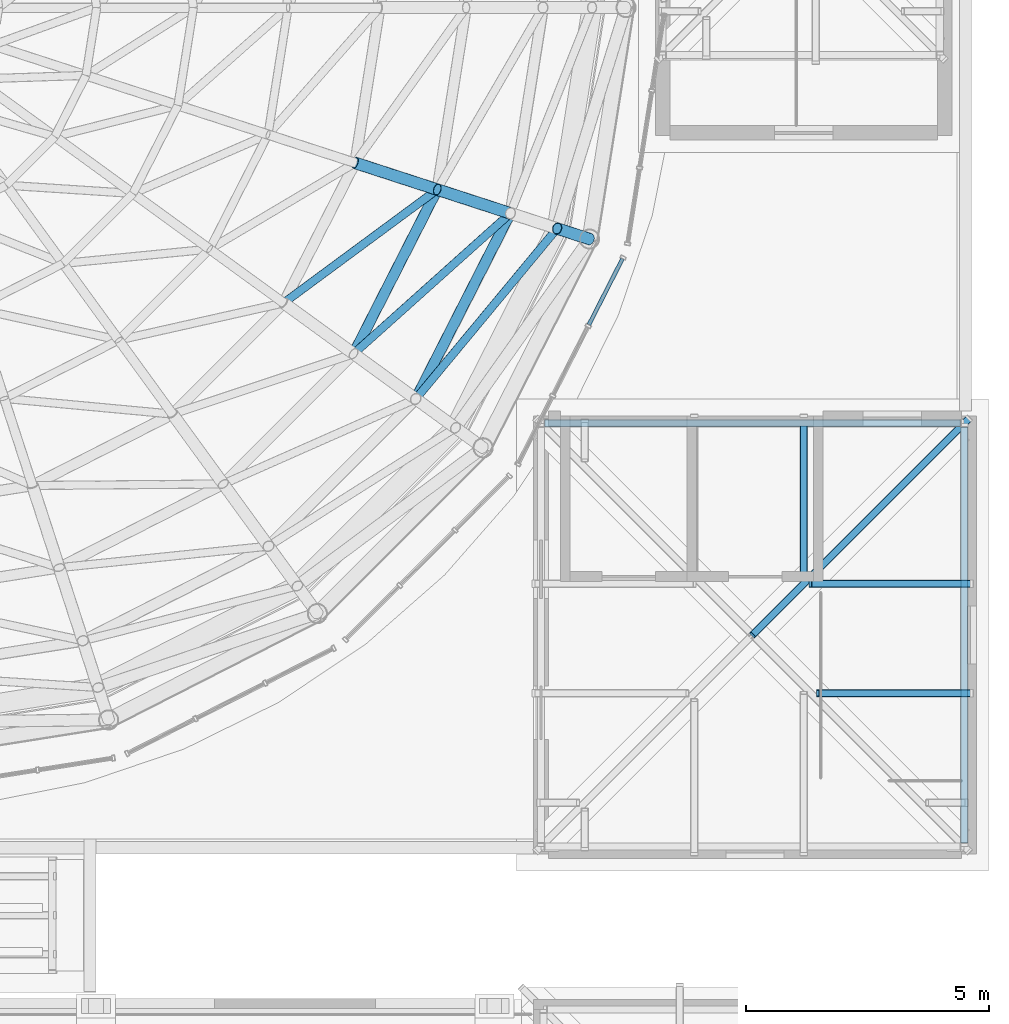
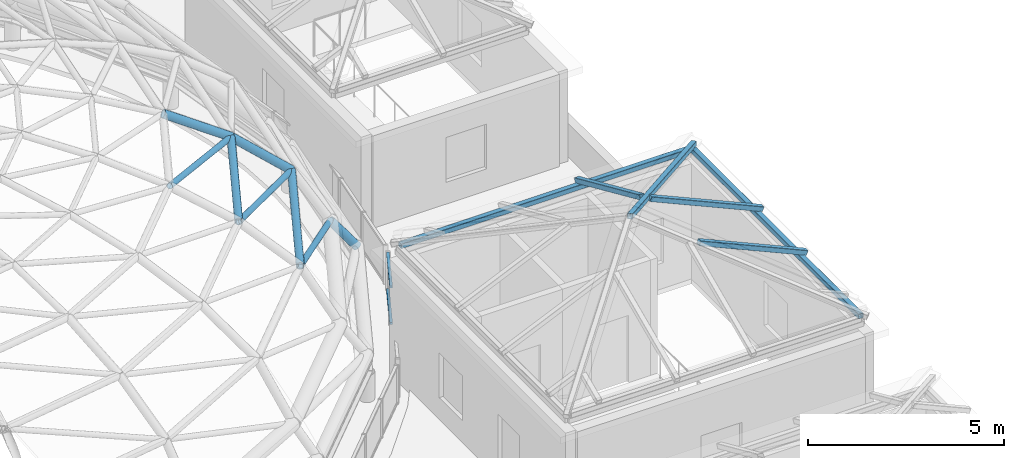
# One storey, part 30 of 69: 16 members, 1 element without a shape of its own.
"""IFC4 building model written with IfcOpenShell, lengths in metres."""

from ifc_helpers import new_model, si_unit, direction, frame, origin, origin_2d, place, context, subcontext, project, spatial, hollow_rectangle, hollow_circle, extrude, material, layer, layer_set, material_profile, profile_set, type_object, element, aggregate, save


model = new_model("IFC4")

# Units and contexts
model_context = context("Model", 3, precision=1e-05, world=origin(), true_north=direction((0.0, 1.0)))
body_context = subcontext(model_context, "Body", "Model", "MODEL_VIEW")
ifc_project = project(units=[si_unit("LENGTHUNIT", "METRE"), si_unit("AREAUNIT", "SQUARE_METRE"), si_unit("VOLUMEUNIT", "CUBIC_METRE"), si_unit("PLANEANGLEUNIT", "RADIAN"), si_unit("MASSUNIT", "GRAM", prefix="KILO")], contexts=[model_context])

# Site, building, storey
site_placement = place(None, origin())
site = spatial("IfcSite", under=ifc_project, at=site_placement, CompositionType="ELEMENT")
building_placement = place(site_placement, origin())
building = spatial("IfcBuilding", under=site, at=building_placement, Name="Kallimachos Central Library", CompositionType="ELEMENT")
storey_placement = place(building_placement, frame((0.0, 0.0, 23.39990234375)))
storey = spatial("IfcBuildingStorey", under=building, at=storey_placement, Name="L05", CompositionType="ELEMENT", Elevation=23.39990234375)

# Members
ifc_material_1 = material(Name="Steel S355J2H", Category="steel")
ifc_material_profile_1 = material_profile(ifc_material_1, hollow_circle(Radius=0.084228515625, WallThickness=0.008056640625, at=origin_2d()), Name="CHS 168.3x8")
ifc_profile_set_1 = profile_set([ifc_material_profile_1], Name="Steel S355J2H")
member_type_1 = type_object("IfcMemberType", Name="CHS 168.3x8 dome diagonal", PredefinedType="BRACE", material=ifc_profile_set_1)
member_1_placement = place(storey_placement, frame((96.359130859375, 98.32666015625, 6.24853515625), z_axis=(0.780505213316, 0.576281163068, -0.242304835032), x_axis=(-0.593981718195, 0.804478538216, 0.0)))
element("IfcMember", 1, at=member_1_placement, inside=storey, type_object=member_type_1, Name="Dome diagonal DD-4-18", PredefinedType="BRACE", context=body_context, shape_type="SweptSolid", body=[
    extrude(hollow_circle(Radius=0.084228515625, WallThickness=0.008056640625, at=origin_2d()), origin(), (0.0, 0.0, 1.0), 4.04541015625),
])
member_2_placement = place(storey_placement, frame((97.796630859375, 97.282470703125, 5.268310546875), z_axis=(0.714679380366, 0.640287753955, -0.281540361962), x_axis=(-0.667279624325, 0.744807292499, 0.0)))
element("IfcMember", 2, at=member_2_placement, inside=storey, type_object=member_type_1, Name="Dome diagonal DD-5-18", PredefinedType="BRACE", context=body_context, shape_type="SweptSolid", body=[
    extrude(hollow_circle(Radius=0.084228515625, WallThickness=0.008056640625, at=origin_2d()), origin(), (0.0, 0.0, 1.0), 4.50927734375),
])
member_3_placement = place(storey_placement, frame((99.07470703125, 96.353759765625, 3.998779296875), z_axis=(0.597120787496, 0.719986592283, -0.353646818271), x_axis=(-0.769727105213, 0.638373075482, 0.0)))
element("IfcMember", 3, at=member_3_placement, inside=storey, type_object=member_type_1, Name="Dome diagonal DD-6-18", PredefinedType="BRACE", context=body_context, shape_type="SweptSolid", body=[
    extrude(hollow_circle(Radius=0.084228515625, WallThickness=0.008056640625, at=origin_2d()), origin(), (0.0, 0.0, 1.0), 4.8662109375),
])
ifc_material_2 = material(Name="Steel S355J2H", Category="steel")
ifc_material_profile_2 = material_profile(ifc_material_2, hollow_circle(Radius=0.109619140625, WallThickness=0.012451171875, at=origin_2d()), Name="CHS 219.1x12.5")
ifc_profile_set_2 = profile_set([ifc_material_profile_2], Name="Steel S355J2H")
member_type_2 = type_object("IfcMemberType", Name="CHS 219.1x12.5 dome ring", PredefinedType="PURLIN", material=ifc_profile_set_2)
member_4_placement = place(storey_placement, frame((97.796630859375, 97.282470703125, 5.268310546875), z_axis=(0.454005906169, 0.890998674052, 0.0), x_axis=(-0.890998674052, 0.454005906169, 0.0)))
element("IfcMember", 4, at=member_4_placement, inside=storey, type_object=member_type_2, Name="Dome ring DN-5-18", PredefinedType="PURLIN", context=body_context, shape_type="SweptSolid", body=[
    extrude(hollow_circle(Radius=0.109619140625, WallThickness=0.012451171875, at=origin_2d()), origin(), (0.0, 0.0, 1.0), 3.788330078125),
])
member_5_placement = place(storey_placement, frame((99.07470703125, 96.353759765625, 3.998779296875), z_axis=(0.454041059528, 0.890980760882, 0.0), x_axis=(-0.890980760882, 0.454041059528, 0.0)))
element("IfcMember", 5, at=member_5_placement, inside=storey, type_object=member_type_2, Name="Dome ring DN-6-18", PredefinedType="PURLIN", context=body_context, shape_type="SweptSolid", body=[
    extrude(hollow_circle(Radius=0.109619140625, WallThickness=0.012451171875, at=origin_2d()), origin(), (0.0, 0.0, 1.0), 4.28271484375),
])
ifc_material_3 = material(Name="Steel S355J2H", Category="steel")
ifc_material_profile_3 = material_profile(ifc_material_3, hollow_circle(Radius=0.122314453125, WallThickness=0.012451171875, at=origin_2d()), Name="CHS 244.5x12.5")
ifc_profile_set_3 = profile_set([ifc_material_profile_3], Name="Steel S355J2H")
member_type_3 = type_object("IfcMemberType", Name="CHS 244.5x12.5 dome rib", PredefinedType="RAFTER", material=ifc_profile_set_3)
member_6_placement = place(storey_placement, frame((97.826904296875, 101.20703125, 6.24853515625), z_axis=(0.83271713957, -0.270593967186, -0.483074601267), x_axis=(0.309045678815, 0.951047195677, 0.0)))
element("IfcMember", 6, at=member_6_placement, inside=storey, type_object=member_type_3, Name="Dome rib DR-4-19", PredefinedType="RAFTER", context=body_context, shape_type="SweptSolid", body=[
    extrude(hollow_circle(Radius=0.122314453125, WallThickness=0.012451171875, at=origin_2d()), origin(), (0.0, 0.0, 1.0), 2.029052734375),
])
member_7_placement = place(storey_placement, frame((99.5166015625, 100.657958984375, 5.268310546875), z_axis=(0.741383201847, -0.240904371031, -0.62635136468), x_axis=(0.309033663672, 0.951051099951, 0.0)))
element("IfcMember", 7, at=member_7_placement, inside=storey, type_object=member_type_3, Name="Dome rib DR-5-19", PredefinedType="RAFTER", context=body_context, shape_type="SweptSolid", body=[
    extrude(hollow_circle(Radius=0.122314453125, WallThickness=0.012451171875, at=origin_2d()), origin(), (0.0, 0.0, 1.0), 2.02685546875),
])
member_8_placement = place(storey_placement, frame((101.98046875, 99.857421875, 2.27783203125), z_axis=(0.583950472089, -0.189725015868, -0.78930745879), x_axis=(0.308999325213, 0.951062257173, 0.0)))
element("IfcMember", 8, at=member_8_placement, inside=storey, type_object=member_type_3, Name="Dome rib DR-7-19", PredefinedType="RAFTER", context=body_context, shape_type="SweptSolid", body=[
    extrude(hollow_circle(Radius=0.122314453125, WallThickness=0.012451171875, at=origin_2d()), origin(), (0.0, 0.0, 1.0), 1.14013671875),
])

# Curtain wall, members
ifc_material_4 = material(Name="Anodised aluminium and laminated glass", Category="aluminium")
ifc_layer = layer(ifc_material_4, 0.159912109375)
ifc_layer_set = layer_set([ifc_layer], Name="Glass box curtain wall")
curtain_wall_type = type_object("IfcCurtainWallType", Name="Glass box curtain wall", PredefinedType="NOTDEFINED", material=ifc_layer_set)
curtain_wall_placement = place(storey_placement, origin())
curtain_wall = element("IfcCurtainWall", 9, at=curtain_wall_placement, inside=storey, type_object=curtain_wall_type, Name="Drum clerestory facet 19", PredefinedType="NOTDEFINED")
ifc_material_5 = material(Name="Anodised aluminium", Category="aluminium")
ifc_material_profile_4 = material_profile(ifc_material_5, hollow_rectangle(XDim=0.06005859375, YDim=0.080078125, WallThickness=0.00390625, at=origin_2d()), Name="ALU TRANSOM 60x80")
ifc_profile_set_4 = profile_set([ifc_material_profile_4], Name="Anodised aluminium")
member_type_4 = type_object("IfcMemberType", Name="Glass box transom 60x80", PredefinedType="USERDEFINED", material=ifc_profile_set_4)
member_9_placement = place(storey_placement, frame((102.635009765625, 97.8798828125, 0.030029296875), z_axis=(0.454077415739, 0.890962232935, 0.0), x_axis=(0.0, 0.0, 1.0)))
member_9 = element("IfcMember", 10, at=member_9_placement, type_object=member_type_4, Name="CW53 transom 3.1", ObjectType="TRANSOM", PredefinedType="USERDEFINED", context=body_context, shape_type="SweptSolid", body=[
    extrude(hollow_rectangle(XDim=0.06005859375, YDim=0.080078125, WallThickness=0.00390625, at=origin_2d()), origin(), (0.0, 0.0, 1.0), 1.51953125),
])
member_10_placement = place(storey_placement, frame((102.635009765625, 97.8798828125, 1.170166015625), z_axis=(0.454077415739, 0.890962232935, 0.0), x_axis=(0.0, 0.0, 1.0)))
member_10 = element("IfcMember", 11, at=member_10_placement, type_object=member_type_4, Name="CW53 transom 3.2", ObjectType="TRANSOM", PredefinedType="USERDEFINED", context=body_context, shape_type="SweptSolid", body=[
    extrude(hollow_rectangle(XDim=0.06005859375, YDim=0.080078125, WallThickness=0.00390625, at=origin_2d()), origin(), (0.0, 0.0, 1.0), 1.51953125),
])
aggregate(curtain_wall, [member_9, member_10])

# Members
ifc_material_6 = material(Name="Steel S355J2H", Category="steel")
ifc_material_profile_5 = material_profile(ifc_material_6, hollow_rectangle(XDim=0.14990234375, YDim=0.14990234375, WallThickness=0.010009765625, InnerFilletRadius=0.010009765625, OuterFilletRadius=0.014892578125, at=origin_2d()), Name="SHS 150x150x10")
ifc_profile_set_5 = profile_set([ifc_material_profile_5], Name="Steel S355J2H")
member_type_5 = type_object("IfcMemberType", Name="SHS 150x150x10 eaves bearer", PredefinedType="STRINGER", material=ifc_profile_set_5)
for number, where, z_axis, x_axis, name in (
    (12, (101.72509765625, 95.85009765625, 4.025146484375), (1.0, 0.0, 0.0), (0.0, 1.0, 0.0), "Head-house roof V1-SE eaves bearer N"),
    (13, (110.35009765625, 87.22509765625, 4.025146484375), (0.0, 1.0, 0.0), (-1.0, 0.0, 0.0), "Head-house roof V1-SE eaves bearer E"),
):
    element("IfcMember", number, at=place(storey_placement, frame(where, z_axis=z_axis, x_axis=x_axis)), inside=storey, type_object=member_type_5, Name=name, PredefinedType="STRINGER", context=body_context, shape_type="SweptSolid", body=[
        extrude(hollow_rectangle(XDim=0.14990234375, YDim=0.14990234375, WallThickness=0.010009765625, InnerFilletRadius=0.010009765625, OuterFilletRadius=0.014892578125, at=origin_2d()), origin(), (0.0, 0.0, 1.0), 8.5498046875),
    ])
ifc_material_7 = material(Name="Steel S355J2H", Category="steel")
ifc_material_profile_6 = material_profile(ifc_material_7, hollow_rectangle(XDim=0.14990234375, YDim=0.14990234375, WallThickness=0.010009765625, InnerFilletRadius=0.010009765625, OuterFilletRadius=0.014892578125, at=origin_2d()), Name="SHS 150x150x10")
ifc_profile_set_6 = profile_set([ifc_material_profile_6], Name="Steel S355J2H")
member_type_6 = type_object("IfcMemberType", Name="SHS 150x150x10 rafter", PredefinedType="RAFTER", material=ifc_profile_set_6)
member_11_placement = place(storey_placement, frame((107.050048828125, 96.0, 4.115478515625), z_axis=(0.0, -0.913555735439, 0.406713557981), x_axis=(1.0, 0.0, 0.0)))
element("IfcMember", 14, at=member_11_placement, inside=storey, type_object=member_type_6, Name="Head-house roof V1-SE rafter", PredefinedType="RAFTER", context=body_context, shape_type="SweptSolid", body=[
    extrude(hollow_rectangle(XDim=0.14990234375, YDim=0.14990234375, WallThickness=0.010009765625, InnerFilletRadius=0.010009765625, OuterFilletRadius=0.014892578125, at=origin_2d()), origin(), (0.0, 0.0, 1.0), 3.623291015625),
])
member_12_placement = place(storey_placement, frame((110.5, 90.300048828125, 4.115478515625), z_axis=(-0.913561058639, 0.0, 0.406701600856), x_axis=(0.0, -1.0, 0.0)))
element("IfcMember", 15, at=member_12_placement, inside=storey, type_object=member_type_6, Name="Head-house roof V1-SE rafter", PredefinedType="RAFTER", context=body_context, shape_type="SweptSolid", body=[
    extrude(hollow_rectangle(XDim=0.14990234375, YDim=0.14990234375, WallThickness=0.010009765625, InnerFilletRadius=0.010009765625, OuterFilletRadius=0.014892578125, at=origin_2d()), origin(), (0.0, 0.0, 1.0), 3.458984375),
])
member_13_placement = place(storey_placement, frame((110.5, 92.550048828125, 4.115478515625), z_axis=(-0.913555735439, 0.0, 0.406713557981), x_axis=(0.0, -1.0, 0.0)))
element("IfcMember", 16, at=member_13_placement, inside=storey, type_object=member_type_6, Name="Head-house roof V1-SE rafter", PredefinedType="RAFTER", context=body_context, shape_type="SweptSolid", body=[
    extrude(hollow_rectangle(XDim=0.14990234375, YDim=0.14990234375, WallThickness=0.010009765625, InnerFilletRadius=0.010009765625, OuterFilletRadius=0.014892578125, at=origin_2d()), origin(), (0.0, 0.0, 1.0), 3.623291015625),
])
ifc_material_8 = material(Name="Steel S355J2H", Category="steel")
ifc_material_profile_7 = material_profile(ifc_material_8, hollow_rectangle(XDim=0.14990234375, YDim=0.14990234375, WallThickness=0.010009765625, InnerFilletRadius=0.010009765625, OuterFilletRadius=0.014892578125, at=origin_2d()), Name="SHS 150x150x10")
ifc_profile_set_7 = profile_set([ifc_material_profile_7], Name="Steel S355J2H")
member_type_7 = type_object("IfcMemberType", Name="SHS 200x200x10 hip rafter", PredefinedType="RAFTER", material=ifc_profile_set_7)
member_14_placement = place(storey_placement, frame((110.449951171875, 95.949951171875, 4.08740234375), z_axis=(-0.674472829332, -0.674472829332, 0.300287870194), x_axis=(0.707106781187, -0.707106781187, 0.0)))
element("IfcMember", 17, at=member_14_placement, inside=storey, type_object=member_type_7, Name="Head-house roof V1-SE hip", PredefinedType="RAFTER", context=body_context, shape_type="SweptSolid", body=[
    extrude(hollow_rectangle(XDim=0.14990234375, YDim=0.14990234375, WallThickness=0.010009765625, InnerFilletRadius=0.010009765625, OuterFilletRadius=0.014892578125, at=origin_2d()), origin(), (0.0, 0.0, 1.0), 6.59765625),
])

save(model, "model.ifc")
